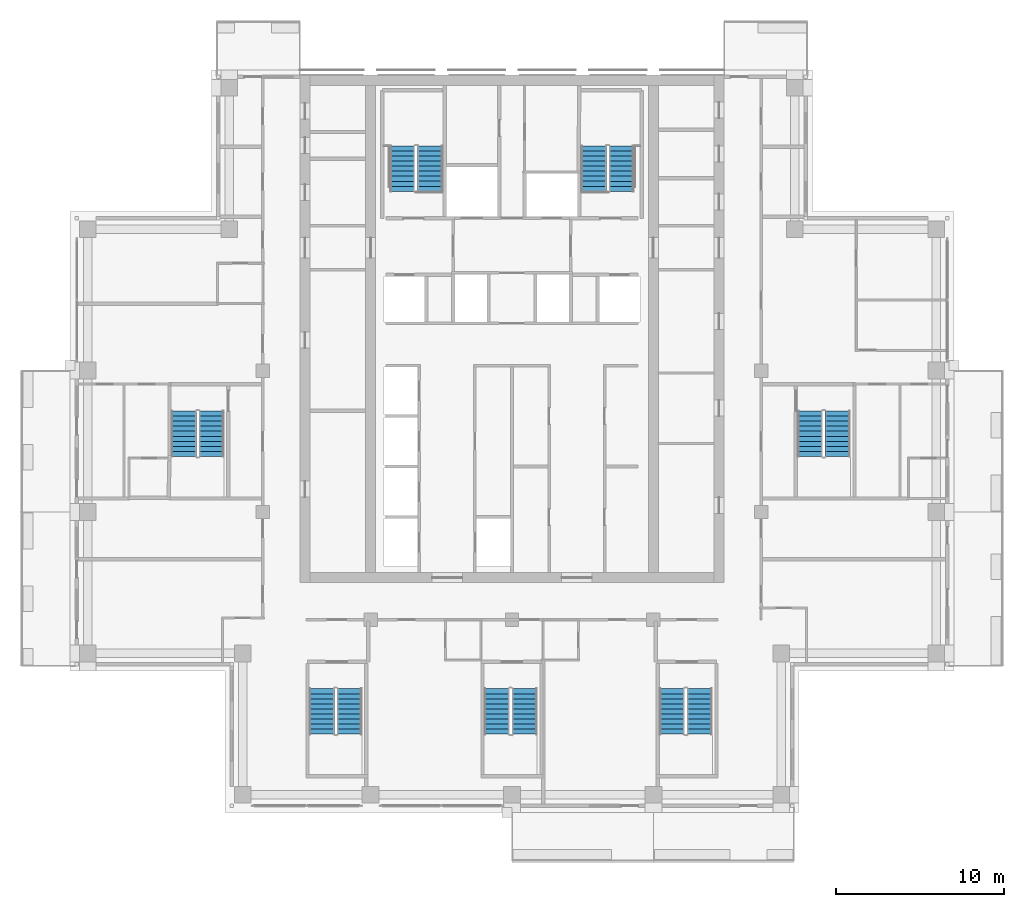
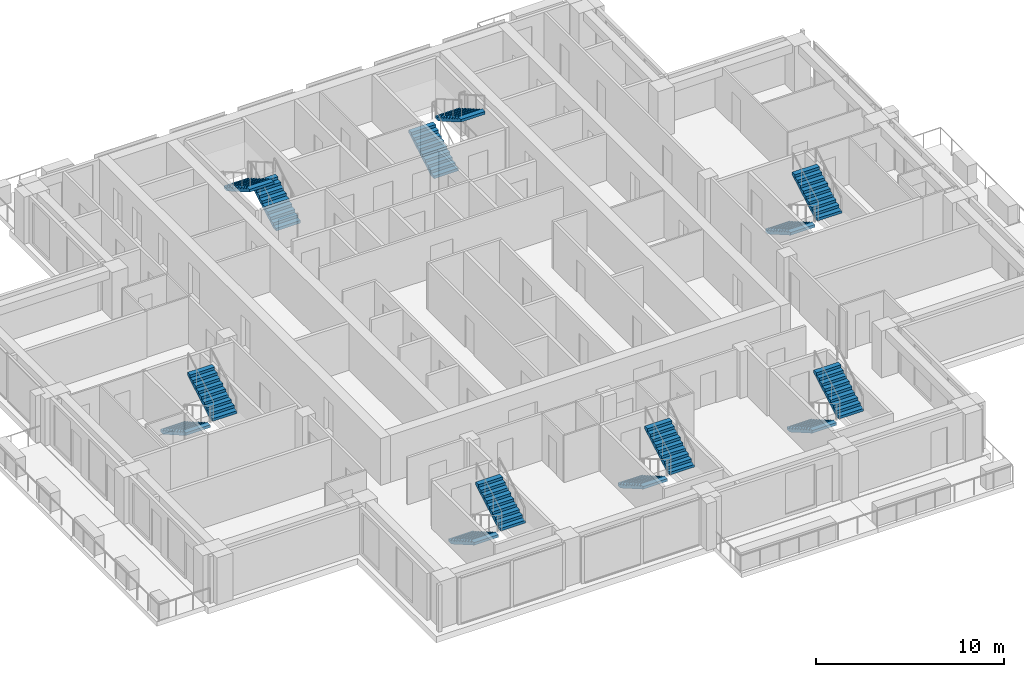
# One storey, part 14 of 17: 14 stair flights, 7 elements without a shape of their own.
"""IFC4 building model written with IfcOpenShell, lengths in metres."""

import ifcopenshell
import ifcopenshell.guid

model = None  # the IFC model being written
_history = None  # IfcOwnerHistory: only IFC2X3 demands one
_inside = {}  # id of a spatial element -> (the spatial element, [elements in it])
_under = {}  # id of a project, library or spatial element -> (it, [spatial elements below it])
_declared = {}  # id of a project -> (the project, [libraries it declares])
_typed = {}  # id of a type object -> (the type object, [elements of that type])
_made_of = {}  # id of a material, layer set ... -> (it, [elements and type objects made of it])


def new_model(schema):
    """Start an empty IFC model of exactly this schema.

    Asked for "IFC4X3", IfcOpenShell would pick the latest addendum, in which some entities
    have other attributes; the version numbers below select the first issue.
    IFC2X3 requires an IfcOwnerHistory on every rooted entity: one is made here for all.
    """
    global model, _history
    if schema == "IFC4X3":
        model = ifcopenshell.file(schema_version=(4, 3, 0, 0))
    else:
        model = ifcopenshell.file(schema=schema)
    _inside.clear()
    _under.clear()
    _declared.clear()
    _typed.clear()
    _made_of.clear()
    _history = None
    if model.schema == "IFC2X3":
        org = make("IfcOrganization", Name="unknown")
        user = make(
            "IfcPersonAndOrganization",
            ThePerson=make("IfcPerson", FamilyName="unknown"),
            TheOrganization=org,
        )
        app = make(
            "IfcApplication",
            ApplicationDeveloper=org,
            Version="unknown",
            ApplicationFullName="unknown",
            ApplicationIdentifier="unknown",
        )
        _history = make(
            "IfcOwnerHistory",
            OwningUser=user,
            OwningApplication=app,
            ChangeAction="ADDED",
            CreationDate=0,
        )
    return model


def make(cls, **values):
    """One entity of the class cls with the attributes given. An attribute that is None is left unset."""
    return model.create_entity(
        cls, **{name: value for name, value in values.items() if value is not None}
    )


def rooted(cls, **values):
    """An entity with a GlobalId (a new one), such as an element, a storey or a relation."""
    return make(cls, GlobalId=ifcopenshell.guid.new(), OwnerHistory=_history, **values)


def si_unit(unit_type, name, prefix=None):
    """IfcSIUnit, for example si_unit("LENGTHUNIT", "METRE", prefix="MILLI")."""
    return make("IfcSIUnit", UnitType=unit_type, Prefix=prefix, Name=name)


def assignment(units):
    """IfcUnitAssignment: the units of a project."""
    return None if units is None else make("IfcUnitAssignment", Units=units)


def point(xyz):
    """IfcCartesianPoint."""
    return None if xyz is None else make("IfcCartesianPoint", Coordinates=xyz)


def direction(xyz):
    """IfcDirection."""
    return None if xyz is None else make("IfcDirection", DirectionRatios=xyz)


def frame(location, z_axis=None, x_axis=None):
    """IfcAxis2Placement3D, a coordinate frame: its origin and axes. An axis left out is left unset."""
    return make(
        "IfcAxis2Placement3D",
        Location=point(location),
        Axis=direction(z_axis),
        RefDirection=direction(x_axis),
    )


def origin():
    """The frame at (0, 0, 0) with its axes left unset."""
    return frame((0.0, 0.0, 0.0))


def place(relative_to, where):
    """IfcLocalPlacement: puts the frame where relative to a parent placement (None: the world)."""
    return make(
        "IfcLocalPlacement", PlacementRelTo=relative_to, RelativePlacement=where
    )


def context(
    kind, dimensions, precision=None, world=None, true_north=None, identifier=None
):
    """IfcGeometricRepresentationContext, for example the 3D "Model" context."""
    return make(
        "IfcGeometricRepresentationContext",
        ContextIdentifier=identifier,
        ContextType=kind,
        CoordinateSpaceDimension=dimensions,
        Precision=precision,
        WorldCoordinateSystem=world,
        TrueNorth=true_north,
    )


def subcontext(parent, identifier, kind, view, scale=None):
    """IfcGeometricRepresentationSubContext, for example "Body" below "Model"."""
    return make(
        "IfcGeometricRepresentationSubContext",
        ContextIdentifier=identifier,
        ContextType=kind,
        ParentContext=parent,
        TargetScale=scale,
        TargetView=view,
    )


def project(units=None, contexts=None):
    """IfcProject with its units and contexts."""
    return rooted(
        "IfcProject",
        Name="project",
        RepresentationContexts=contexts,
        UnitsInContext=assignment(units),
    )


def spatial(cls, under=None, at=None, **own):
    """A site, building, storey or space (cls), placed at a placement, below another one or the project."""
    s = rooted(cls, ObjectPlacement=at, **own)
    if under is not None:
        _under.setdefault(under.id(), (under, []))[1].append(s)
    return s


def polyline(points):
    """IfcPolyline through the points."""
    return make("IfcPolyline", Points=[point(p) for p in points])


def outline(outer, holes=None, kind="AREA"):
    """IfcArbitraryClosedProfileDef: a profile drawn as a closed curve; with holes, ...WithVoids."""
    if holes is None:
        return make("IfcArbitraryClosedProfileDef", ProfileType=kind, OuterCurve=outer)
    return make(
        "IfcArbitraryProfileDefWithVoids",
        ProfileType=kind,
        OuterCurve=outer,
        InnerCurves=holes,
    )


def extrude(swept, where, along, depth):
    """IfcExtrudedAreaSolid: the profile swept, set in the frame where, extruded along a direction by depth."""
    return make(
        "IfcExtrudedAreaSolid",
        SweptArea=swept,
        Position=where,
        ExtrudedDirection=direction(along),
        Depth=depth,
    )


def shape(context_of_items, identifier, shape_type, items):
    """IfcShapeRepresentation: the items that make up one representation, for example the "Body"."""
    return make(
        "IfcShapeRepresentation",
        ContextOfItems=context_of_items,
        RepresentationIdentifier=identifier,
        RepresentationType=shape_type,
        Items=items,
    )


def material(Name=None, Category=None):
    """IfcMaterial."""
    return make("IfcMaterial", Name=Name, Category=Category)


def made_of(thing, what):
    """Note that an element or type object is made of a material, layer set ...; save() writes the relation."""
    if what is not None:
        _made_of.setdefault(what.id(), (what, []))[1].append(thing)
    return thing


def type_object(cls, material=None, **own):
    """A type object (cls), such as IfcWallType, which elements share."""
    return made_of(rooted(cls, **own), material)


def element(
    cls,
    number,
    at=None,
    inside=None,
    cuts=None,
    type_object=None,
    material=None,
    context=None,
    identifier="Body",
    shape_type=None,
    held_by="IfcProductDefinitionShape",
    body=None,
    shapes=None,
    **own,
):
    """One element of the class cls, such as IfcWall. Its Tag is "e" and its number.

    at: its placement. inside: the storey or other place that contains it. cuts: it is an
    opening in that element (IfcRelVoidsElement). A single representation is given by context,
    identifier, shape_type and body (its items); several are given by shapes. held_by: the class
    of the entity that holds the representations. save() writes the other relations.
    """
    e = rooted(cls, Tag="e%d" % number, ObjectPlacement=at, **own)
    if body is not None:
        shapes = [shape(context, identifier, shape_type, body)]
    if shapes is not None:
        e.Representation = make(held_by, Representations=shapes)
    if inside is not None:
        _inside.setdefault(inside.id(), (inside, []))[1].append(e)
    if cuts is not None:
        rooted(
            "IfcRelVoidsElement", RelatingBuildingElement=cuts, RelatedOpeningElement=e
        )
    if type_object is not None:
        _typed.setdefault(type_object.id(), (type_object, []))[1].append(e)
    return made_of(e, material)


def aggregate(whole, parts):
    """IfcRelAggregates: a whole, such as a stair, and the parts it consists of."""
    return rooted("IfcRelAggregates", RelatingObject=whole, RelatedObjects=parts)


def save(model, path):
    """Write the relations noted so far, then the file.

    IfcRelAggregates (storeys below a building ...), IfcRelContainedInSpatialStructure (elements
    in a storey), IfcRelDefinesByType, IfcRelAssociatesMaterial and IfcRelDeclares: one each for
    every whole, place, type object, material and project.
    """
    for whole, parts in _under.values():
        aggregate(whole, parts)
    for where, things in _inside.values():
        rooted(
            "IfcRelContainedInSpatialStructure",
            RelatedElements=things,
            RelatingStructure=where,
        )
    for kind, things in _typed.values():
        rooted("IfcRelDefinesByType", RelatedObjects=things, RelatingType=kind)
    for what, things in _made_of.values():
        rooted("IfcRelAssociatesMaterial", RelatedObjects=things, RelatingMaterial=what)
    for by, libraries in _declared.values():
        rooted("IfcRelDeclares", RelatingContext=by, RelatedDefinitions=libraries)
    model.write(path)


model = new_model("IFC4")

# Units and contexts
model_context = context("Model", 3, precision=1e-05, world=origin(), true_north=direction((0.0, 1.0)))
body_context = subcontext(model_context, "Body", "Model", "MODEL_VIEW")
ifc_project = project(units=[si_unit("LENGTHUNIT", "METRE"), si_unit("AREAUNIT", "SQUARE_METRE"), si_unit("VOLUMEUNIT", "CUBIC_METRE"), si_unit("PLANEANGLEUNIT", "RADIAN"), si_unit("MASSUNIT", "GRAM", prefix="KILO")], contexts=[model_context])

# Site, building, storey
site_placement = place(None, origin())
site = spatial("IfcSite", under=ifc_project, at=site_placement, CompositionType="ELEMENT")
building_placement = place(site_placement, origin())
building = spatial("IfcBuilding", under=site, at=building_placement, Name="Vermilion Ogive Tower", CompositionType="ELEMENT")
storey_placement = place(building_placement, frame((0.0, 0.0, 203.14990234375)))
storey = spatial("IfcBuildingStorey", under=building, at=storey_placement, Name="L53", CompositionType="ELEMENT", Elevation=203.14990234375)

# Stair, stair flights
ifc_material_1 = material(Name="Concrete B40", Category="concrete")
stair_type = type_object("IfcStairType", Name="Exit stair 1500", PredefinedType="HALF_TURN_STAIR", material=ifc_material_1)
stair_1_placement = place(storey_placement, origin())
stair_1 = element("IfcStair", 1, at=stair_1_placement, inside=storey, type_object=stair_type, Name="L53 Exit Stair ST1", PredefinedType="HALF_TURN_STAIR")
ifc_material_2 = material(Name="Concrete B40", Category="concrete")
stair_flight_type = type_object("IfcStairFlightType", Name="Stair flight 1500", PredefinedType="STRAIGHT", material=ifc_material_2)
stair_flight_1_placement = place(storey_placement, frame((-4.85009765625, 14.85009765625, 0.0), z_axis=(0.0, 0.0, 1.0), x_axis=(0.0, 1.0, 0.0)))
stair_flight_1 = element("IfcStairFlight", 2, at=stair_flight_1_placement, type_object=stair_flight_type, Name="ST1 flight 1", NumberOfRisers=10, NumberOfTreads=9, PredefinedType="STRAIGHT", RiserHeight=0.1725, TreadLength=0.3, context=body_context, shape_type="SweptSolid", body=[
    extrude(outline(polyline([(0.0, 0.0), (0.0, 0.172607421875), (0.300048828125, 0.172607421875), (0.300048828125, 0.344970703125), (0.60009765625, 0.344970703125), (0.60009765625, 0.517578125), (0.89990234375, 0.517578125), (0.89990234375, 0.68994140625), (1.199951171875, 0.68994140625), (1.199951171875, 0.862548828125), (1.5, 0.862548828125), (1.5, 1.034912109375), (1.800048828125, 1.034912109375), (1.800048828125, 1.20751953125), (2.10009765625, 1.20751953125), (2.10009765625, 1.3798828125), (2.39990234375, 1.3798828125), (2.39990234375, 1.552490234375), (2.699951171875, 1.552490234375), (2.699951171875, 1.72509765625), (2.699951171875, 1.379638671875), (0.30078125, 0.0), (0.0, 0.0)])), frame((0.0, 0.75, 0.0), z_axis=(0.0, -1.0, 0.0), x_axis=(1.0, 0.0, 0.0)), (0.0, 0.0, 1.0), 1.5),
])
stair_flight_2_placement = place(storey_placement, frame((-6.5, 17.550048828125, 1.72509765625), z_axis=(0.0, 0.0, 1.0), x_axis=(0.0, -1.0, 0.0)))
stair_flight_2 = element("IfcStairFlight", 3, at=stair_flight_2_placement, type_object=stair_flight_type, Name="ST1 flight 2", NumberOfRisers=10, NumberOfTreads=9, PredefinedType="STRAIGHT", RiserHeight=0.1725, TreadLength=0.3, context=body_context, shape_type="SweptSolid", body=[
    extrude(outline(polyline([(0.0, 0.0), (0.0, 0.172607421875), (0.300048828125, 0.172607421875), (0.300048828125, 0.344970703125), (0.60009765625, 0.344970703125), (0.60009765625, 0.517578125), (0.89990234375, 0.517578125), (0.89990234375, 0.68994140625), (1.199951171875, 0.68994140625), (1.199951171875, 0.862548828125), (1.5, 0.862548828125), (1.5, 1.034912109375), (1.800048828125, 1.034912109375), (1.800048828125, 1.20751953125), (2.10009765625, 1.20751953125), (2.10009765625, 1.3798828125), (2.39990234375, 1.3798828125), (2.39990234375, 1.552490234375), (2.699951171875, 1.552490234375), (2.699951171875, 1.72509765625), (2.699951171875, 1.379638671875), (0.30078125, 0.0), (0.0, 0.0)])), frame((0.0, 0.75, 0.0), z_axis=(0.0, -1.0, 0.0), x_axis=(1.0, 0.0, 0.0)), (0.0, 0.0, 1.0), 1.5),
])
aggregate(stair_1, [stair_flight_1, stair_flight_2])

stair_2_placement = place(storey_placement, origin())
stair_2 = element("IfcStair", 4, at=stair_2_placement, inside=storey, type_object=stair_type, Name="L53 Exit Stair ST2", PredefinedType="HALF_TURN_STAIR")
stair_flight_3_placement = place(storey_placement, frame((4.85009765625, 14.85009765625, 0.0), z_axis=(0.0, 0.0, 1.0), x_axis=(0.0, 1.0, 0.0)))
stair_flight_3 = element("IfcStairFlight", 5, at=stair_flight_3_placement, type_object=stair_flight_type, Name="ST2 flight 1", NumberOfRisers=10, NumberOfTreads=9, PredefinedType="STRAIGHT", RiserHeight=0.1725, TreadLength=0.3, context=body_context, shape_type="SweptSolid", body=[
    extrude(outline(polyline([(0.0, 0.0), (0.0, 0.172607421875), (0.300048828125, 0.172607421875), (0.300048828125, 0.344970703125), (0.60009765625, 0.344970703125), (0.60009765625, 0.517578125), (0.89990234375, 0.517578125), (0.89990234375, 0.68994140625), (1.199951171875, 0.68994140625), (1.199951171875, 0.862548828125), (1.5, 0.862548828125), (1.5, 1.034912109375), (1.800048828125, 1.034912109375), (1.800048828125, 1.20751953125), (2.10009765625, 1.20751953125), (2.10009765625, 1.3798828125), (2.39990234375, 1.3798828125), (2.39990234375, 1.552490234375), (2.699951171875, 1.552490234375), (2.699951171875, 1.72509765625), (2.699951171875, 1.379638671875), (0.30078125, 0.0), (0.0, 0.0)])), frame((0.0, 0.75, 0.0), z_axis=(0.0, -1.0, 0.0), x_axis=(1.0, 0.0, 0.0)), (0.0, 0.0, 1.0), 1.5),
])
stair_flight_4_placement = place(storey_placement, frame((6.5, 17.550048828125, 1.72509765625), z_axis=(0.0, 0.0, 1.0), x_axis=(0.0, -1.0, 0.0)))
stair_flight_4 = element("IfcStairFlight", 6, at=stair_flight_4_placement, type_object=stair_flight_type, Name="ST2 flight 2", NumberOfRisers=10, NumberOfTreads=9, PredefinedType="STRAIGHT", RiserHeight=0.1725, TreadLength=0.3, context=body_context, shape_type="SweptSolid", body=[
    extrude(outline(polyline([(0.0, 0.0), (0.0, 0.172607421875), (0.300048828125, 0.172607421875), (0.300048828125, 0.344970703125), (0.60009765625, 0.344970703125), (0.60009765625, 0.517578125), (0.89990234375, 0.517578125), (0.89990234375, 0.68994140625), (1.199951171875, 0.68994140625), (1.199951171875, 0.862548828125), (1.5, 0.862548828125), (1.5, 1.034912109375), (1.800048828125, 1.034912109375), (1.800048828125, 1.20751953125), (2.10009765625, 1.20751953125), (2.10009765625, 1.3798828125), (2.39990234375, 1.3798828125), (2.39990234375, 1.552490234375), (2.699951171875, 1.552490234375), (2.699951171875, 1.72509765625), (2.699951171875, 1.379638671875), (0.30078125, 0.0), (0.0, 0.0)])), frame((0.0, 0.75, 0.0), z_axis=(0.0, -1.0, 0.0), x_axis=(1.0, 0.0, 0.0)), (0.0, 0.0, 1.0), 1.5),
])
aggregate(stair_2, [stair_flight_3, stair_flight_4])

stair_3_placement = place(storey_placement, origin())
stair_3 = element("IfcStair", 7, at=stair_3_placement, inside=storey, type_object=stair_type, Name="L53 Exit Stair ST3", PredefinedType="HALF_TURN_STAIR")
stair_flight_5_placement = place(storey_placement, frame((-11.300048828125, -14.699951171875, 0.0), z_axis=(0.0, 0.0, 1.0), x_axis=(0.0, -1.0, 0.0)))
stair_flight_5 = element("IfcStairFlight", 8, at=stair_flight_5_placement, type_object=stair_flight_type, Name="ST3 flight 1", NumberOfRisers=10, NumberOfTreads=9, PredefinedType="STRAIGHT", RiserHeight=0.1725, TreadLength=0.3, context=body_context, shape_type="SweptSolid", body=[
    extrude(outline(polyline([(0.0, 0.0), (0.0, 0.172607421875), (0.300048828125, 0.172607421875), (0.300048828125, 0.344970703125), (0.60009765625, 0.344970703125), (0.60009765625, 0.517578125), (0.89990234375, 0.517578125), (0.89990234375, 0.68994140625), (1.199951171875, 0.68994140625), (1.199951171875, 0.862548828125), (1.5, 0.862548828125), (1.5, 1.034912109375), (1.800048828125, 1.034912109375), (1.800048828125, 1.20751953125), (2.10009765625, 1.20751953125), (2.10009765625, 1.3798828125), (2.39990234375, 1.3798828125), (2.39990234375, 1.552490234375), (2.699951171875, 1.552490234375), (2.699951171875, 1.72509765625), (2.699951171875, 1.379638671875), (0.30078125, 0.0), (0.0, 0.0)])), frame((0.0, 0.75, 0.0), z_axis=(0.0, -1.0, 0.0), x_axis=(1.0, 0.0, 0.0)), (0.0, 0.0, 1.0), 1.5),
])
stair_flight_6_placement = place(storey_placement, frame((-9.64990234375, -17.39990234375, 1.72509765625), z_axis=(0.0, 0.0, 1.0), x_axis=(0.0, 1.0, 0.0)))
stair_flight_6 = element("IfcStairFlight", 9, at=stair_flight_6_placement, type_object=stair_flight_type, Name="ST3 flight 2", NumberOfRisers=10, NumberOfTreads=9, PredefinedType="STRAIGHT", RiserHeight=0.1725, TreadLength=0.3, context=body_context, shape_type="SweptSolid", body=[
    extrude(outline(polyline([(0.0, 0.0), (0.0, 0.172607421875), (0.300048828125, 0.172607421875), (0.300048828125, 0.344970703125), (0.60009765625, 0.344970703125), (0.60009765625, 0.517578125), (0.89990234375, 0.517578125), (0.89990234375, 0.68994140625), (1.199951171875, 0.68994140625), (1.199951171875, 0.862548828125), (1.5, 0.862548828125), (1.5, 1.034912109375), (1.800048828125, 1.034912109375), (1.800048828125, 1.20751953125), (2.10009765625, 1.20751953125), (2.10009765625, 1.3798828125), (2.39990234375, 1.3798828125), (2.39990234375, 1.552490234375), (2.699951171875, 1.552490234375), (2.699951171875, 1.72509765625), (2.699951171875, 1.379638671875), (0.30078125, 0.0), (0.0, 0.0)])), frame((0.0, 0.75, 0.0), z_axis=(0.0, -1.0, 0.0), x_axis=(1.0, 0.0, 0.0)), (0.0, 0.0, 1.0), 1.5),
])
aggregate(stair_3, [stair_flight_5, stair_flight_6])

stair_4_placement = place(storey_placement, origin())
stair_4 = element("IfcStair", 10, at=stair_4_placement, inside=storey, type_object=stair_type, Name="L53 Exit Stair ST4", PredefinedType="HALF_TURN_STAIR")
stair_flight_7_placement = place(storey_placement, frame((-0.89990234375, -14.699951171875, 0.0), z_axis=(0.0, 0.0, 1.0), x_axis=(0.0, -1.0, 0.0)))
stair_flight_7 = element("IfcStairFlight", 11, at=stair_flight_7_placement, type_object=stair_flight_type, Name="ST4 flight 1", NumberOfRisers=10, NumberOfTreads=9, PredefinedType="STRAIGHT", RiserHeight=0.1725, TreadLength=0.3, context=body_context, shape_type="SweptSolid", body=[
    extrude(outline(polyline([(0.0, 0.0), (0.0, 0.172607421875), (0.300048828125, 0.172607421875), (0.300048828125, 0.344970703125), (0.60009765625, 0.344970703125), (0.60009765625, 0.517578125), (0.89990234375, 0.517578125), (0.89990234375, 0.68994140625), (1.199951171875, 0.68994140625), (1.199951171875, 0.862548828125), (1.5, 0.862548828125), (1.5, 1.034912109375), (1.800048828125, 1.034912109375), (1.800048828125, 1.20751953125), (2.10009765625, 1.20751953125), (2.10009765625, 1.3798828125), (2.39990234375, 1.3798828125), (2.39990234375, 1.552490234375), (2.699951171875, 1.552490234375), (2.699951171875, 1.72509765625), (2.699951171875, 1.379638671875), (0.30078125, 0.0), (0.0, 0.0)])), frame((0.0, 0.75, 0.0), z_axis=(0.0, -1.0, 0.0), x_axis=(1.0, 0.0, 0.0)), (0.0, 0.0, 1.0), 1.5),
])
stair_flight_8_placement = place(storey_placement, frame((0.75, -17.39990234375, 1.72509765625), z_axis=(0.0, 0.0, 1.0), x_axis=(0.0, 1.0, 0.0)))
stair_flight_8 = element("IfcStairFlight", 12, at=stair_flight_8_placement, type_object=stair_flight_type, Name="ST4 flight 2", NumberOfRisers=10, NumberOfTreads=9, PredefinedType="STRAIGHT", RiserHeight=0.1725, TreadLength=0.3, context=body_context, shape_type="SweptSolid", body=[
    extrude(outline(polyline([(0.0, 0.0), (0.0, 0.172607421875), (0.300048828125, 0.172607421875), (0.300048828125, 0.344970703125), (0.60009765625, 0.344970703125), (0.60009765625, 0.517578125), (0.89990234375, 0.517578125), (0.89990234375, 0.68994140625), (1.199951171875, 0.68994140625), (1.199951171875, 0.862548828125), (1.5, 0.862548828125), (1.5, 1.034912109375), (1.800048828125, 1.034912109375), (1.800048828125, 1.20751953125), (2.10009765625, 1.20751953125), (2.10009765625, 1.3798828125), (2.39990234375, 1.3798828125), (2.39990234375, 1.552490234375), (2.699951171875, 1.552490234375), (2.699951171875, 1.72509765625), (2.699951171875, 1.379638671875), (0.30078125, 0.0), (0.0, 0.0)])), frame((0.0, 0.75, 0.0), z_axis=(0.0, -1.0, 0.0), x_axis=(1.0, 0.0, 0.0)), (0.0, 0.0, 1.0), 1.5),
])
aggregate(stair_4, [stair_flight_7, stair_flight_8])

stair_5_placement = place(storey_placement, origin())
stair_5 = element("IfcStair", 13, at=stair_5_placement, inside=storey, type_object=stair_type, Name="L53 Exit Stair ST5", PredefinedType="HALF_TURN_STAIR")
stair_flight_9_placement = place(storey_placement, frame((9.5, -14.699951171875, 0.0), z_axis=(0.0, 0.0, 1.0), x_axis=(0.0, -1.0, 0.0)))
stair_flight_9 = element("IfcStairFlight", 14, at=stair_flight_9_placement, type_object=stair_flight_type, Name="ST5 flight 1", NumberOfRisers=10, NumberOfTreads=9, PredefinedType="STRAIGHT", RiserHeight=0.1725, TreadLength=0.3, context=body_context, shape_type="SweptSolid", body=[
    extrude(outline(polyline([(0.0, 0.0), (0.0, 0.172607421875), (0.300048828125, 0.172607421875), (0.300048828125, 0.344970703125), (0.60009765625, 0.344970703125), (0.60009765625, 0.517578125), (0.89990234375, 0.517578125), (0.89990234375, 0.68994140625), (1.199951171875, 0.68994140625), (1.199951171875, 0.862548828125), (1.5, 0.862548828125), (1.5, 1.034912109375), (1.800048828125, 1.034912109375), (1.800048828125, 1.20751953125), (2.10009765625, 1.20751953125), (2.10009765625, 1.3798828125), (2.39990234375, 1.3798828125), (2.39990234375, 1.552490234375), (2.699951171875, 1.552490234375), (2.699951171875, 1.72509765625), (2.699951171875, 1.379638671875), (0.30078125, 0.0), (0.0, 0.0)])), frame((0.0, 0.75, 0.0), z_axis=(0.0, -1.0, 0.0), x_axis=(1.0, 0.0, 0.0)), (0.0, 0.0, 1.0), 1.5),
])
stair_flight_10_placement = place(storey_placement, frame((11.14990234375, -17.39990234375, 1.72509765625), z_axis=(0.0, 0.0, 1.0), x_axis=(0.0, 1.0, 0.0)))
stair_flight_10 = element("IfcStairFlight", 15, at=stair_flight_10_placement, type_object=stair_flight_type, Name="ST5 flight 2", NumberOfRisers=10, NumberOfTreads=9, PredefinedType="STRAIGHT", RiserHeight=0.1725, TreadLength=0.3, context=body_context, shape_type="SweptSolid", body=[
    extrude(outline(polyline([(0.0, 0.0), (0.0, 0.172607421875), (0.300048828125, 0.172607421875), (0.300048828125, 0.344970703125), (0.60009765625, 0.344970703125), (0.60009765625, 0.517578125), (0.89990234375, 0.517578125), (0.89990234375, 0.68994140625), (1.199951171875, 0.68994140625), (1.199951171875, 0.862548828125), (1.5, 0.862548828125), (1.5, 1.034912109375), (1.800048828125, 1.034912109375), (1.800048828125, 1.20751953125), (2.10009765625, 1.20751953125), (2.10009765625, 1.3798828125), (2.39990234375, 1.3798828125), (2.39990234375, 1.552490234375), (2.699951171875, 1.552490234375), (2.699951171875, 1.72509765625), (2.699951171875, 1.379638671875), (0.30078125, 0.0), (0.0, 0.0)])), frame((0.0, 0.75, 0.0), z_axis=(0.0, -1.0, 0.0), x_axis=(1.0, 0.0, 0.0)), (0.0, 0.0, 1.0), 1.5),
])
aggregate(stair_5, [stair_flight_9, stair_flight_10])

stair_6_placement = place(storey_placement, origin())
stair_6 = element("IfcStair", 16, at=stair_6_placement, inside=storey, type_object=stair_type, Name="L53 Exit Stair ST8", PredefinedType="HALF_TURN_STAIR")
stair_flight_11_placement = place(storey_placement, frame((17.699951171875, 1.800048828125, 0.0), z_axis=(0.0, 0.0, 1.0), x_axis=(0.0, -1.0, 0.0)))
stair_flight_11 = element("IfcStairFlight", 17, at=stair_flight_11_placement, type_object=stair_flight_type, Name="ST8 flight 1", NumberOfRisers=10, NumberOfTreads=9, PredefinedType="STRAIGHT", RiserHeight=0.1725, TreadLength=0.3, context=body_context, shape_type="SweptSolid", body=[
    extrude(outline(polyline([(0.0, 0.0), (0.0, 0.172607421875), (0.300048828125, 0.172607421875), (0.300048828125, 0.344970703125), (0.60009765625, 0.344970703125), (0.60009765625, 0.517578125), (0.89990234375, 0.517578125), (0.89990234375, 0.68994140625), (1.199951171875, 0.68994140625), (1.199951171875, 0.862548828125), (1.5, 0.862548828125), (1.5, 1.034912109375), (1.800048828125, 1.034912109375), (1.800048828125, 1.20751953125), (2.10009765625, 1.20751953125), (2.10009765625, 1.3798828125), (2.39990234375, 1.3798828125), (2.39990234375, 1.552490234375), (2.699951171875, 1.552490234375), (2.699951171875, 1.72509765625), (2.699951171875, 1.379638671875), (0.30078125, 0.0), (0.0, 0.0)])), frame((0.0, 0.75, 0.0), z_axis=(0.0, -1.0, 0.0), x_axis=(1.0, 0.0, 0.0)), (0.0, 0.0, 1.0), 1.5),
])
stair_flight_12_placement = place(storey_placement, frame((19.35009765625, -0.89990234375, 1.72509765625), z_axis=(0.0, 0.0, 1.0), x_axis=(0.0, 1.0, 0.0)))
stair_flight_12 = element("IfcStairFlight", 18, at=stair_flight_12_placement, type_object=stair_flight_type, Name="ST8 flight 2", NumberOfRisers=10, NumberOfTreads=9, PredefinedType="STRAIGHT", RiserHeight=0.1725, TreadLength=0.3, context=body_context, shape_type="SweptSolid", body=[
    extrude(outline(polyline([(0.0, 0.0), (0.0, 0.172607421875), (0.300048828125, 0.172607421875), (0.300048828125, 0.344970703125), (0.60009765625, 0.344970703125), (0.60009765625, 0.517578125), (0.89990234375, 0.517578125), (0.89990234375, 0.68994140625), (1.199951171875, 0.68994140625), (1.199951171875, 0.862548828125), (1.5, 0.862548828125), (1.5, 1.034912109375), (1.800048828125, 1.034912109375), (1.800048828125, 1.20751953125), (2.10009765625, 1.20751953125), (2.10009765625, 1.3798828125), (2.39990234375, 1.3798828125), (2.39990234375, 1.552490234375), (2.699951171875, 1.552490234375), (2.699951171875, 1.72509765625), (2.699951171875, 1.379638671875), (0.30078125, 0.0), (0.0, 0.0)])), frame((0.0, 0.75, 0.0), z_axis=(0.0, -1.0, 0.0), x_axis=(1.0, 0.0, 0.0)), (0.0, 0.0, 1.0), 1.5),
])
aggregate(stair_6, [stair_flight_11, stair_flight_12])

stair_7_placement = place(storey_placement, origin())
stair_7 = element("IfcStair", 19, at=stair_7_placement, inside=storey, type_object=stair_type, Name="L53 Exit Stair ST9", PredefinedType="HALF_TURN_STAIR")
stair_flight_13_placement = place(storey_placement, frame((-19.5, 1.800048828125, 0.0), z_axis=(0.0, 0.0, 1.0), x_axis=(0.0, -1.0, 0.0)))
stair_flight_13 = element("IfcStairFlight", 20, at=stair_flight_13_placement, type_object=stair_flight_type, Name="ST9 flight 1", NumberOfRisers=10, NumberOfTreads=9, PredefinedType="STRAIGHT", RiserHeight=0.1725, TreadLength=0.3, context=body_context, shape_type="SweptSolid", body=[
    extrude(outline(polyline([(0.0, 0.0), (0.0, 0.172607421875), (0.300048828125, 0.172607421875), (0.300048828125, 0.344970703125), (0.60009765625, 0.344970703125), (0.60009765625, 0.517578125), (0.89990234375, 0.517578125), (0.89990234375, 0.68994140625), (1.199951171875, 0.68994140625), (1.199951171875, 0.862548828125), (1.5, 0.862548828125), (1.5, 1.034912109375), (1.800048828125, 1.034912109375), (1.800048828125, 1.20751953125), (2.10009765625, 1.20751953125), (2.10009765625, 1.3798828125), (2.39990234375, 1.3798828125), (2.39990234375, 1.552490234375), (2.699951171875, 1.552490234375), (2.699951171875, 1.72509765625), (2.699951171875, 1.379638671875), (0.30078125, 0.0), (0.0, 0.0)])), frame((0.0, 0.75, 0.0), z_axis=(0.0, -1.0, 0.0), x_axis=(1.0, 0.0, 0.0)), (0.0, 0.0, 1.0), 1.5),
])
stair_flight_14_placement = place(storey_placement, frame((-17.85009765625, -0.89990234375, 1.72509765625), z_axis=(0.0, 0.0, 1.0), x_axis=(0.0, 1.0, 0.0)))
stair_flight_14 = element("IfcStairFlight", 21, at=stair_flight_14_placement, type_object=stair_flight_type, Name="ST9 flight 2", NumberOfRisers=10, NumberOfTreads=9, PredefinedType="STRAIGHT", RiserHeight=0.1725, TreadLength=0.3, context=body_context, shape_type="SweptSolid", body=[
    extrude(outline(polyline([(0.0, 0.0), (0.0, 0.172607421875), (0.300048828125, 0.172607421875), (0.300048828125, 0.344970703125), (0.60009765625, 0.344970703125), (0.60009765625, 0.517578125), (0.89990234375, 0.517578125), (0.89990234375, 0.68994140625), (1.199951171875, 0.68994140625), (1.199951171875, 0.862548828125), (1.5, 0.862548828125), (1.5, 1.034912109375), (1.800048828125, 1.034912109375), (1.800048828125, 1.20751953125), (2.10009765625, 1.20751953125), (2.10009765625, 1.3798828125), (2.39990234375, 1.3798828125), (2.39990234375, 1.552490234375), (2.699951171875, 1.552490234375), (2.699951171875, 1.72509765625), (2.699951171875, 1.379638671875), (0.30078125, 0.0), (0.0, 0.0)])), frame((0.0, 0.75, 0.0), z_axis=(0.0, -1.0, 0.0), x_axis=(1.0, 0.0, 0.0)), (0.0, 0.0, 1.0), 1.5),
])
aggregate(stair_7, [stair_flight_13, stair_flight_14])

save(model, "model.ifc")
